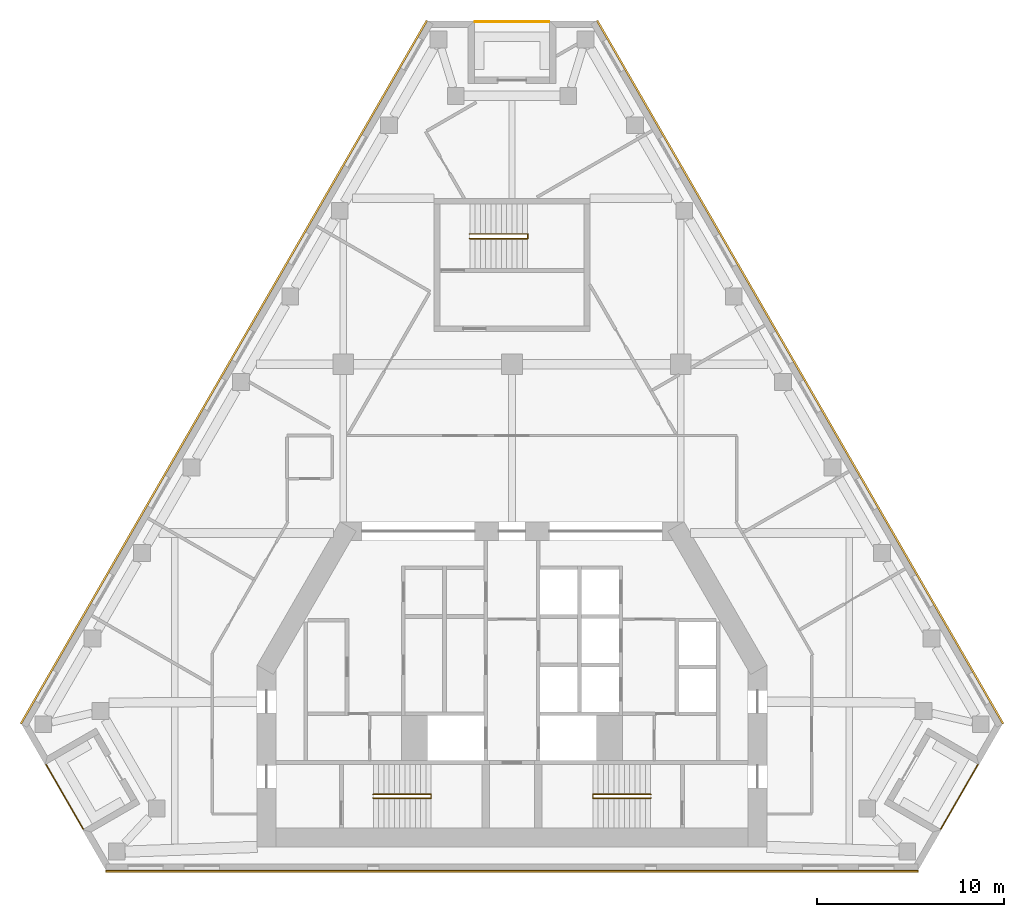
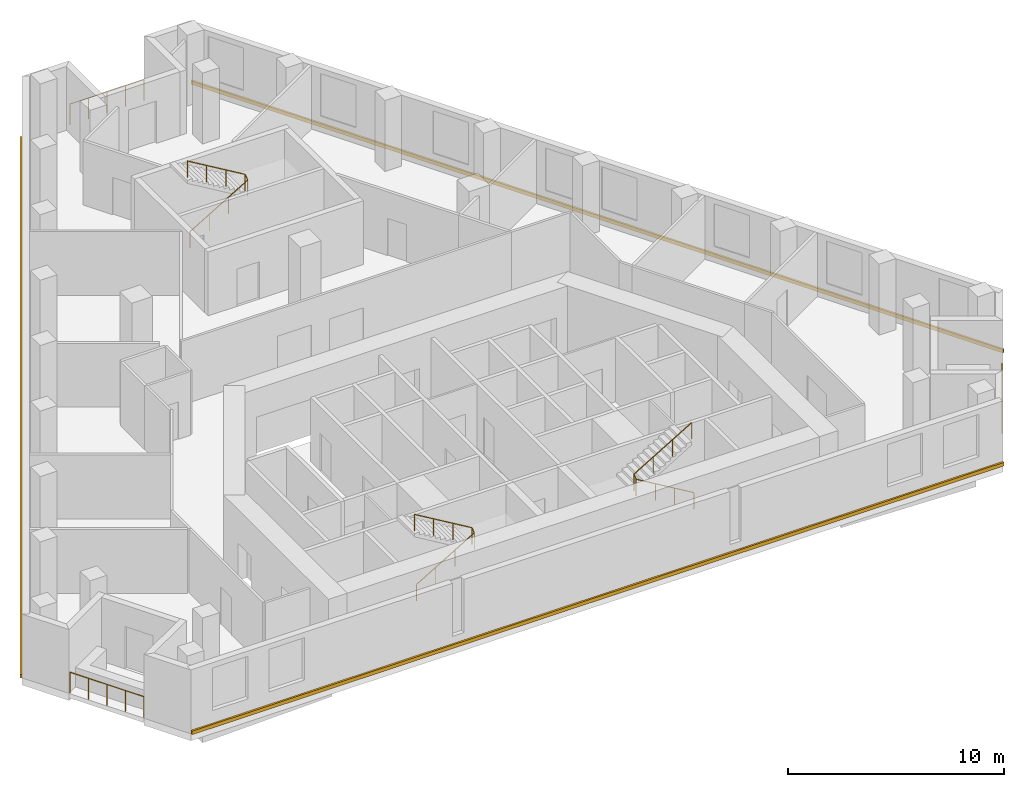
# One storey, part 7 of 7: 6 railings, 3 coverings.
"""IFC4 building model written with IfcOpenShell, lengths in metres."""

from ifc_helpers import new_model, si_unit, direction, frame, origin, origin_2d, place, context, subcontext, project, spatial, polyline, circle, outline, extrude, material, type_object, element, save


model = new_model("IFC4")

# Units and contexts
model_context = context("Model", 3, precision=1e-05, world=origin(), true_north=direction((0.0, 1.0)))
body_context = subcontext(model_context, "Body", "Model", "MODEL_VIEW")
ifc_project = project(units=[si_unit("LENGTHUNIT", "METRE"), si_unit("AREAUNIT", "SQUARE_METRE"), si_unit("VOLUMEUNIT", "CUBIC_METRE"), si_unit("PLANEANGLEUNIT", "RADIAN"), si_unit("MASSUNIT", "GRAM", prefix="KILO")], contexts=[model_context])

# Site, building, storey
site_placement = place(None, origin())
site = spatial("IfcSite", under=ifc_project, at=site_placement, CompositionType="ELEMENT")
building_placement = place(site_placement, origin())
building = spatial("IfcBuilding", under=site, at=building_placement, Name="Fogline Exchange Tower", CompositionType="ELEMENT")
storey_placement = place(building_placement, frame((0.0, 0.0, 251.5)))
storey = spatial("IfcBuildingStorey", under=building, at=storey_placement, Name="L57", CompositionType="ELEMENT", Elevation=251.5)

# Railings
ifc_material_1 = material(Name="Stainless steel 304", Category="steel")
railing_type_1 = type_object("IfcRailingType", Name="G1", PredefinedType="GUARDRAIL", material=ifc_material_1)
railing_1_placement = place(storey_placement, frame((-24.865478515625, 5.635986328125, 0.0)))
element("IfcRailing", 1, at=railing_1_placement, inside=storey, type_object=railing_type_1, Name="Balcony guard L57 SW", PredefinedType="GUARDRAIL", context=body_context, shape_type="SweptSolid", body=[
    extrude(circle(Radius=0.02392578125, at=origin_2d()), frame((0.0, 0.0, 1.17578125), z_axis=(0.499953838557, -0.866052053466, 0.0), x_axis=(0.866052053466, 0.499953838557, 0.0)), (0.0, 0.0, 1.0), 3.957763671875),
    extrude(circle(Radius=0.02099609375, at=origin_2d()), origin(), (0.0, 0.0, 1.0), 1.15185546875),
    extrude(circle(Radius=0.02099609375, at=origin_2d()), frame((0.49462890625, -0.85693359375, 0.0)), (0.0, 0.0, 1.0), 1.15185546875),
    extrude(circle(Radius=0.02099609375, at=origin_2d()), frame((0.9892578125, -1.7138671875, 0.0)), (0.0, 0.0, 1.0), 1.15185546875),
    extrude(circle(Radius=0.02099609375, at=origin_2d()), frame((1.484130859375, -2.57080078125, 0.0)), (0.0, 0.0, 1.0), 1.15185546875),
    extrude(circle(Radius=0.02099609375, at=origin_2d()), frame((1.978759765625, -3.427734375, 0.0)), (0.0, 0.0, 1.0), 1.15185546875),
])
railing_2_placement = place(storey_placement, frame((22.88671875, 2.208251953125, 0.0)))
element("IfcRailing", 2, at=railing_2_placement, inside=storey, type_object=railing_type_1, Name="Balcony guard L57 SE", PredefinedType="GUARDRAIL", context=body_context, shape_type="SweptSolid", body=[
    extrude(circle(Radius=0.02392578125, at=origin_2d()), frame((0.0, 0.0, 1.17578125), z_axis=(0.499953838557, 0.866052053466, 0.0), x_axis=(-0.866052053466, 0.499953838557, 0.0)), (0.0, 0.0, 1.0), 3.957763671875),
    extrude(circle(Radius=0.02099609375, at=origin_2d()), origin(), (0.0, 0.0, 1.0), 1.15185546875),
    extrude(circle(Radius=0.02099609375, at=origin_2d()), frame((0.49462890625, 0.85693359375, 0.0)), (0.0, 0.0, 1.0), 1.15185546875),
    extrude(circle(Radius=0.02099609375, at=origin_2d()), frame((0.9892578125, 1.7138671875, 0.0)), (0.0, 0.0, 1.0), 1.15185546875),
    extrude(circle(Radius=0.02099609375, at=origin_2d()), frame((1.484130859375, 2.57080078125, 0.0)), (0.0, 0.0, 1.0), 1.15185546875),
    extrude(circle(Radius=0.02099609375, at=origin_2d()), frame((1.978759765625, 3.427734375, 0.0)), (0.0, 0.0, 1.0), 1.15185546875),
])
railing_3_placement = place(storey_placement, frame((1.97900390625, 45.276611328125, 0.0)))
element("IfcRailing", 3, at=railing_3_placement, inside=storey, type_object=railing_type_1, Name="Balcony guard L57 N", PredefinedType="GUARDRAIL", context=body_context, shape_type="SweptSolid", body=[
    extrude(circle(Radius=0.02392578125, at=origin_2d()), frame((0.0, 0.0, 1.17578125), z_axis=(-1.0, 0.0, 0.0), x_axis=(0.0, -1.0, 0.0)), (0.0, 0.0, 1.0), 3.9580078125),
    extrude(circle(Radius=0.02099609375, at=origin_2d()), origin(), (0.0, 0.0, 1.0), 1.15185546875),
    extrude(circle(Radius=0.02099609375, at=origin_2d()), frame((-0.989501953125, 0.0, 0.0)), (0.0, 0.0, 1.0), 1.15185546875),
    extrude(circle(Radius=0.02099609375, at=origin_2d()), frame((-1.97900390625, 0.0, 0.0)), (0.0, 0.0, 1.0), 1.15185546875),
    extrude(circle(Radius=0.02099609375, at=origin_2d()), frame((-2.968505859375, 0.0, 0.0)), (0.0, 0.0, 1.0), 1.15185546875),
    extrude(circle(Radius=0.02099609375, at=origin_2d()), frame((-3.9580078125, 0.0, 0.0)), (0.0, 0.0, 1.0), 1.15185546875),
])
ifc_material_2 = material(Name="Steel Q235B", Category="steel")
railing_type_2 = type_object("IfcRailingType", Name="RL-HR", PredefinedType="HANDRAIL", material=ifc_material_2)
railing_4_placement = place(storey_placement, frame((-7.39990234375, 3.85009765625, 0.166748046875)))
element("IfcRailing", 4, at=railing_4_placement, inside=storey, type_object=railing_type_2, Name="Handrail ST1", PredefinedType="HANDRAIL", context=body_context, shape_type="SweptSolid", body=[
    extrude(circle(Radius=0.02392578125, at=origin_2d()), frame((0.0, 0.0, 0.92578125), z_axis=(0.859290745958, 0.0, 0.51148745235), x_axis=(0.0, 1.0, 0.0)), (0.0, 0.0, 1.0), 3.584228515625),
    extrude(circle(Radius=0.02392578125, at=origin_2d()), frame((3.079833984375, 0.0, 2.75927734375), z_axis=(0.0, 0.767990643491, 0.640461061666), x_axis=(-1.0, 0.0, 0.0)), (0.0, 0.0, 1.0), 0.26025390625),
    extrude(circle(Radius=0.02392578125, at=origin_2d()), frame((3.079833984375, 0.199951171875, 2.92578125), z_axis=(-0.859290745958, 0.0, 0.51148745235), x_axis=(0.0, -1.0, 0.0)), (0.0, 0.0, 1.0), 3.584228515625),
    extrude(circle(Radius=0.02099609375, at=origin_2d()), origin(), (0.0, 0.0, 1.0), 0.90185546875),
    extrude(circle(Radius=0.02099609375, at=origin_2d()), frame((1.026611328125, 0.0, 0.611083984375)), (0.0, 0.0, 1.0), 0.90185546875),
    extrude(circle(Radius=0.02099609375, at=origin_2d()), frame((2.05322265625, 0.0, 1.22216796875)), (0.0, 0.0, 1.0), 0.90185546875),
    extrude(circle(Radius=0.02099609375, at=origin_2d()), frame((3.079833984375, 0.0, 1.833251953125)), (0.0, 0.0, 1.0), 0.90185546875),
    extrude(circle(Radius=0.02099609375, at=origin_2d()), frame((3.079833984375, 0.199951171875, 2.0)), (0.0, 0.0, 1.0), 0.90185546875),
    extrude(circle(Radius=0.02099609375, at=origin_2d()), frame((2.05322265625, 0.199951171875, 2.611083984375)), (0.0, 0.0, 1.0), 0.90185546875),
    extrude(circle(Radius=0.02099609375, at=origin_2d()), frame((1.026611328125, 0.199951171875, 3.22216796875)), (0.0, 0.0, 1.0), 0.90185546875),
    extrude(circle(Radius=0.02099609375, at=origin_2d()), frame((0.0, 0.199951171875, 3.833251953125)), (0.0, 0.0, 1.0), 0.90185546875),
])
railing_5_placement = place(storey_placement, frame((7.39990234375, 3.85009765625, 0.166748046875)))
element("IfcRailing", 5, at=railing_5_placement, inside=storey, type_object=railing_type_2, Name="Handrail ST2", PredefinedType="HANDRAIL", context=body_context, shape_type="SweptSolid", body=[
    extrude(circle(Radius=0.02392578125, at=origin_2d()), frame((0.0, 0.0, 0.92578125), z_axis=(-0.859290745958, 0.0, 0.51148745235), x_axis=(0.0, -1.0, 0.0)), (0.0, 0.0, 1.0), 3.584228515625),
    extrude(circle(Radius=0.02392578125, at=origin_2d()), frame((-3.079833984375, 0.0, 2.75927734375), z_axis=(0.0, 0.767990643491, 0.640461061666), x_axis=(-1.0, 0.0, 0.0)), (0.0, 0.0, 1.0), 0.26025390625),
    extrude(circle(Radius=0.02392578125, at=origin_2d()), frame((-3.079833984375, 0.199951171875, 2.92578125), z_axis=(0.859290745958, 0.0, 0.51148745235), x_axis=(0.0, 1.0, 0.0)), (0.0, 0.0, 1.0), 3.584228515625),
    extrude(circle(Radius=0.02099609375, at=origin_2d()), origin(), (0.0, 0.0, 1.0), 0.90185546875),
    extrude(circle(Radius=0.02099609375, at=origin_2d()), frame((-1.026611328125, 0.0, 0.611083984375)), (0.0, 0.0, 1.0), 0.90185546875),
    extrude(circle(Radius=0.02099609375, at=origin_2d()), frame((-2.05322265625, 0.0, 1.22216796875)), (0.0, 0.0, 1.0), 0.90185546875),
    extrude(circle(Radius=0.02099609375, at=origin_2d()), frame((-3.079833984375, 0.0, 1.833251953125)), (0.0, 0.0, 1.0), 0.90185546875),
    extrude(circle(Radius=0.02099609375, at=origin_2d()), frame((-3.079833984375, 0.199951171875, 2.0)), (0.0, 0.0, 1.0), 0.90185546875),
    extrude(circle(Radius=0.02099609375, at=origin_2d()), frame((-2.05322265625, 0.199951171875, 2.611083984375)), (0.0, 0.0, 1.0), 0.90185546875),
    extrude(circle(Radius=0.02099609375, at=origin_2d()), frame((-1.026611328125, 0.199951171875, 3.22216796875)), (0.0, 0.0, 1.0), 0.90185546875),
    extrude(circle(Radius=0.02099609375, at=origin_2d()), frame((0.0, 0.199951171875, 3.833251953125)), (0.0, 0.0, 1.0), 0.90185546875),
])
railing_6_placement = place(storey_placement, frame((-2.25, 33.70703125, 0.166748046875)))
element("IfcRailing", 6, at=railing_6_placement, inside=storey, type_object=railing_type_2, Name="Handrail ST3", PredefinedType="HANDRAIL", context=body_context, shape_type="SweptSolid", body=[
    extrude(circle(Radius=0.02392578125, at=origin_2d()), frame((0.0, 0.0, 0.92578125), z_axis=(0.859308565015, 0.0, 0.511457515432), x_axis=(0.0, 1.0, 0.0)), (0.0, 0.0, 1.0), 3.58447265625),
    extrude(circle(Radius=0.02392578125, at=origin_2d()), frame((3.080078125, 0.0, 2.75927734375), z_axis=(0.0, 0.831925284441, 0.554887665306), x_axis=(-1.0, 0.0, 0.0)), (0.0, 0.0, 1.0), 0.300537109375),
    extrude(circle(Radius=0.02392578125, at=origin_2d()), frame((3.080078125, 0.25, 2.92578125), z_axis=(-0.859308565015, 0.0, 0.511457515432), x_axis=(0.0, -1.0, 0.0)), (0.0, 0.0, 1.0), 3.58447265625),
    extrude(circle(Radius=0.02099609375, at=origin_2d()), origin(), (0.0, 0.0, 1.0), 0.90185546875),
    extrude(circle(Radius=0.02099609375, at=origin_2d()), frame((1.026611328125, 0.0, 0.611083984375)), (0.0, 0.0, 1.0), 0.90185546875),
    extrude(circle(Radius=0.02099609375, at=origin_2d()), frame((2.053466796875, 0.0, 1.22216796875)), (0.0, 0.0, 1.0), 0.90185546875),
    extrude(circle(Radius=0.02099609375, at=origin_2d()), frame((3.080078125, 0.0, 1.833251953125)), (0.0, 0.0, 1.0), 0.90185546875),
    extrude(circle(Radius=0.02099609375, at=origin_2d()), frame((3.080078125, 0.25, 2.0)), (0.0, 0.0, 1.0), 0.90185546875),
    extrude(circle(Radius=0.02099609375, at=origin_2d()), frame((2.053466796875, 0.25, 2.611083984375)), (0.0, 0.0, 1.0), 0.90185546875),
    extrude(circle(Radius=0.02099609375, at=origin_2d()), frame((1.026611328125, 0.25, 3.22216796875)), (0.0, 0.0, 1.0), 0.90185546875),
    extrude(circle(Radius=0.02099609375, at=origin_2d()), frame((0.0, 0.25, 3.833251953125)), (0.0, 0.0, 1.0), 0.90185546875),
])

# Coverings
ifc_material_3 = material(Name="Brick masonry", Category="masonry")
covering_type = type_object("IfcCoveringType", Name="SB1", PredefinedType="CLADDING", material=ifc_material_3)
covering_1_placement = place(storey_placement, origin())
element("IfcCovering", 7, at=covering_1_placement, inside=storey, type_object=covering_type, Name="Stringcourse band L57 S", PredefinedType="CLADDING", context=body_context, shape_type="SweptSolid", body=[
    extrude(outline(polyline([(-21.66943359375, 0.0), (-21.66943359375, -0.10009765625), (21.66943359375, -0.10009765625), (21.66943359375, 0.0), (-21.66943359375, 0.0)])), origin(), (0.0, 0.0, 1.0), 0.199951171875),
])
covering_2_placement = place(storey_placement, origin())
element("IfcCovering", 8, at=covering_2_placement, inside=storey, type_object=covering_type, Name="Stringcourse band L57 E", PredefinedType="CLADDING", context=body_context, shape_type="SweptSolid", body=[
    extrude(outline(polyline([(26.16943359375, 7.794189453125), (26.256103515625, 7.84423828125), (4.586669921875, 45.376708984375), (4.5, 45.32666015625), (26.16943359375, 7.794189453125)])), origin(), (0.0, 0.0, 1.0), 0.199951171875),
])
covering_3_placement = place(storey_placement, origin())
element("IfcCovering", 9, at=covering_3_placement, inside=storey, type_object=covering_type, Name="Stringcourse band L57 W", PredefinedType="CLADDING", context=body_context, shape_type="SweptSolid", body=[
    extrude(outline(polyline([(-4.5, 45.32666015625), (-4.586669921875, 45.376708984375), (-26.256103515625, 7.84423828125), (-26.16943359375, 7.794189453125), (-4.5, 45.32666015625)])), origin(), (0.0, 0.0, 1.0), 0.199951171875),
])

save(model, "model.ifc")
